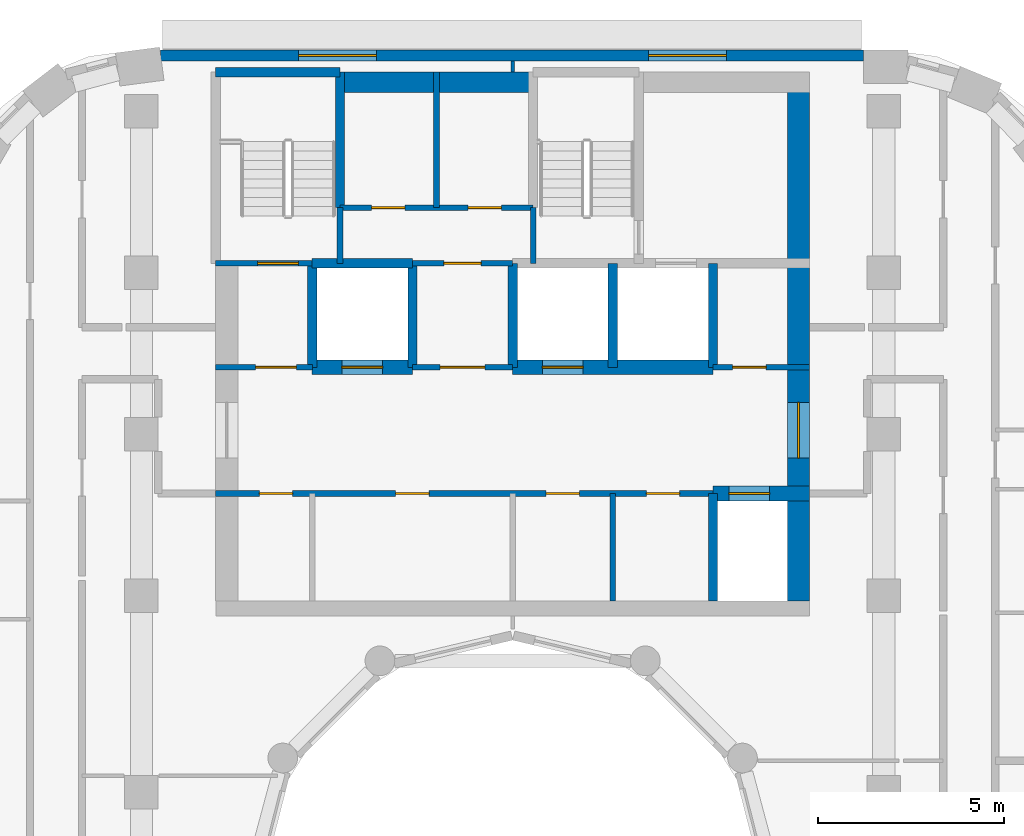
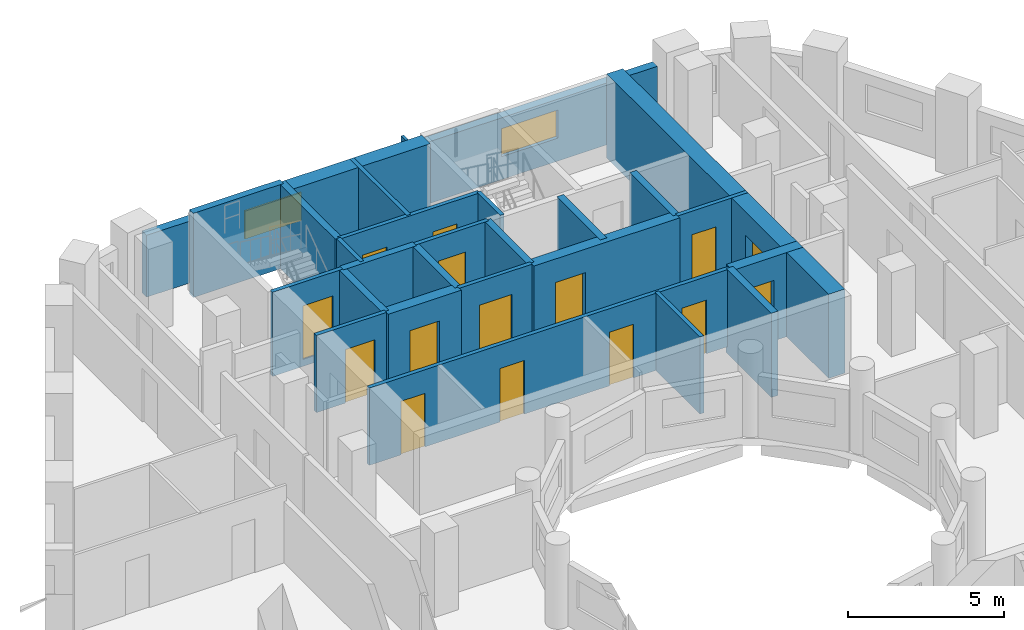
# One storey, part 8 of 16: 27 walls, 15 doors, 2 windows, 17 openings.
"""IFC4 building model written with IfcOpenShell, lengths in metres."""

from ifc_helpers import new_model, si_unit, direction, frame, frame_2d, origin, place, context, subcontext, project, spatial, rectangle, extrude, material, layer, layer_set, type_object, element, fill, save


model = new_model("IFC4")

# Units and contexts
model_context = context("Model", 3, precision=1e-05, world=origin(), true_north=direction((0.0, 1.0)))
body_context = subcontext(model_context, "Body", "Model", "MODEL_VIEW")
ifc_project = project(units=[si_unit("LENGTHUNIT", "METRE"), si_unit("AREAUNIT", "SQUARE_METRE"), si_unit("VOLUMEUNIT", "CUBIC_METRE"), si_unit("PLANEANGLEUNIT", "RADIAN"), si_unit("MASSUNIT", "GRAM", prefix="KILO")], contexts=[model_context])

# Site, building, storey
site_placement = place(None, origin())
site = spatial("IfcSite", under=ifc_project, at=site_placement, CompositionType="ELEMENT")
building_placement = place(site_placement, origin())
building = spatial("IfcBuilding", under=site, at=building_placement, Name="Nakaniwa Court", CompositionType="ELEMENT")
storey_placement = place(building_placement, frame((0.0, 0.0, 196.5)))
storey = spatial("IfcBuildingStorey", under=building, at=storey_placement, Name="L51", CompositionType="ELEMENT", Elevation=196.5)

# Wall, openings, windows
ifc_material_1 = material(Name="Charcoal ceramic cladding")
ifc_layer_1 = layer(ifc_material_1, 0.02, Name="Ceramic cladding")
ifc_material_2 = material(Name="Ventilated air cavity")
ifc_layer_2 = layer(ifc_material_2, 0.04, ventilated=True, Name="Ventilated cavity")
ifc_material_3 = material(Name="Mineral wool insulation")
ifc_layer_3 = layer(ifc_material_3, 0.1, Name="Insulation")
ifc_material_4 = material(Name="Cement bonded sheathing board")
ifc_layer_4 = layer(ifc_material_4, 0.012, Name="Sheathing")
ifc_material_5 = material(Name="Cold-formed galvanised stud frame with mineral wool infill")
ifc_layer_5 = layer(ifc_material_5, 0.1, Name="Stud frame")
ifc_material_6 = material(Name="Fire-rated gypsum plasterboard lining")
ifc_layer_6 = layer(ifc_material_6, 0.028, Name="Lining")
ifc_layer_set_1 = layer_set([ifc_layer_1, ifc_layer_2, ifc_layer_3, ifc_layer_4, ifc_layer_5, ifc_layer_6], Name="Charcoal ceramic faced external wall system")
wall_type_1 = type_object("IfcWallType", Name="Black ceramic faced external wall 300", PredefinedType="SOLIDWALL", material=ifc_layer_set_1)
wall_1_placement = place(storey_placement, frame((89.44921875, 102.5, 0.0), z_axis=(0.0, 0.0, 1.0), x_axis=(-1.0, 0.0, 0.0)))
wall_1 = element("IfcWall", 1, at=wall_1_placement, inside=storey, type_object=wall_type_1, Name="L51 external wall 08", PredefinedType="SOLIDWALL", context=body_context, shape_type="SweptSolid", body=[
    extrude(rectangle(XDim=18.932861328125, YDim=0.300048828125, at=frame_2d((9.46630859375, 0.0))), origin(), (0.0, 0.0, 1.0), 2.425048828125),
])
opening_1_placement = place(wall_1_placement, frame((3.6865234375, 0.0, 0.89990234375)))
opening_1 = element("IfcOpeningElement", 2, at=opening_1_placement, cuts=wall_1, Name="Opening W7.10", PredefinedType="OPENING", context=body_context, shape_type="SweptSolid", body=[
    extrude(rectangle(XDim=2.10009765625, YDim=1.10009765625, at=frame_2d((1.050048828125, 0.550048828125))), frame((0.0, 0.159912109375, 0.0), z_axis=(0.0, -1.0, 0.0), x_axis=(1.0, 0.0, 0.0)), (0.0, 0.0, 1.0), 0.320068359375),
])
opening_2_placement = place(wall_1_placement, frame((13.117919921875, 0.0, 0.89990234375)))
opening_2 = element("IfcOpeningElement", 3, at=opening_2_placement, cuts=wall_1, Name="Opening W7.11", PredefinedType="OPENING", context=body_context, shape_type="SweptSolid", body=[
    extrude(rectangle(XDim=2.10009765625, YDim=1.10009765625, at=frame_2d((1.050048828125, 0.550048828125))), frame((0.0, 0.159912109375, 0.0), z_axis=(0.0, -1.0, 0.0), x_axis=(1.0, 0.0, 0.0)), (0.0, 0.0, 1.0), 0.320068359375),
])
ifc_material_7 = material(Name="Black anodised aluminium frame with dark low-E laminated double glazing", Category="aluminium")
window_type = type_object("IfcWindowType", Name="Dark glass window 2100x1100 sill 900", PartitioningType="SINGLE_PANEL", PredefinedType="WINDOW", material=ifc_material_7)
window_1_placement = place(opening_1_placement, origin())
window_1 = element("IfcWindow", 4, at=window_1_placement, inside=storey, type_object=window_type, Name="L51 habitable room window 08-0", OverallHeight=1.10009765625, OverallWidth=2.10009765625, PartitioningType="SINGLE_PANEL", PredefinedType="WINDOW", context=body_context, shape_type="SweptSolid", body=[
    extrude(rectangle(XDim=2.10009765625, YDim=1.10009765625, at=frame_2d((1.050048828125, 0.550048828125))), frame((0.0, 0.030029296875, 0.0), z_axis=(0.0, -1.0, 0.0), x_axis=(1.0, 0.0, 0.0)), (0.0, 0.0, 1.0), 0.06005859375),
])
fill(opening_1, window_1)
window_2_placement = place(opening_2_placement, origin())
window_2 = element("IfcWindow", 5, at=window_2_placement, inside=storey, type_object=window_type, Name="L51 habitable room window 08-1", OverallHeight=1.10009765625, OverallWidth=2.10009765625, PartitioningType="SINGLE_PANEL", PredefinedType="WINDOW", context=body_context, shape_type="SweptSolid", body=[
    extrude(rectangle(XDim=2.10009765625, YDim=1.10009765625, at=frame_2d((1.050048828125, 0.550048828125))), frame((0.0, 0.030029296875, 0.0), z_axis=(0.0, -1.0, 0.0), x_axis=(1.0, 0.0, 0.0)), (0.0, 0.0, 1.0), 0.06005859375),
])
fill(opening_2, window_2)

# Wall, openings, doors
ifc_material_8 = material(Name="Blockwork partition", Category="masonry")
ifc_layer_7 = layer(ifc_material_8, 0.14990234375)
ifc_layer_set_2 = layer_set([ifc_layer_7], Name="Blockwork partition")
wall_type_2 = type_object("IfcWallType", Name="Blockwork partition 150", PredefinedType="PARTITIONING", material=ifc_layer_set_2)
wall_2_placement = place(storey_placement, frame((85.39990234375, 90.699951171875, 0.0), z_axis=(0.0, 0.0, 1.0), x_axis=(-1.0, 0.0, 0.0)))
wall_2 = element("IfcWall", 6, at=wall_2_placement, inside=storey, type_object=wall_type_2, Name="Partition PW-002", PredefinedType="PARTITIONING", context=body_context, shape_type="SweptSolid", body=[
    extrude(rectangle(XDim=13.39990234375, YDim=0.14990234375, at=frame_2d((6.699951171875, 0.0))), origin(), (0.0, 0.0, 1.0), 3.02490234375),
])
opening_3_placement = place(wall_2_placement, frame((11.324951171875, 0.0, 0.0)))
opening_3 = element("IfcOpeningElement", 7, at=opening_3_placement, cuts=wall_2, Name="Opening D-05-01", PredefinedType="OPENING", context=body_context, shape_type="SweptSolid", body=[
    extrude(rectangle(XDim=0.89990234375, YDim=2.10009765625, at=frame_2d((0.449951171875, 1.050048828125))), frame((0.0, 0.0849609375, 0.0), z_axis=(0.0, -1.0, 0.0), x_axis=(1.0, 0.0, 0.0)), (0.0, 0.0, 1.0), 0.169921875),
])
opening_4_placement = place(wall_2_placement, frame((7.64990234375, 0.0, 0.0)))
opening_4 = element("IfcOpeningElement", 8, at=opening_4_placement, cuts=wall_2, Name="Opening D-05-02", PredefinedType="OPENING", context=body_context, shape_type="SweptSolid", body=[
    extrude(rectangle(XDim=0.89990234375, YDim=2.10009765625, at=frame_2d((0.449951171875, 1.050048828125))), frame((0.0, 0.0849609375, 0.0), z_axis=(0.0, -1.0, 0.0), x_axis=(1.0, 0.0, 0.0)), (0.0, 0.0, 1.0), 0.169921875),
])
opening_5_placement = place(wall_2_placement, frame((3.60009765625, 0.0, 0.0)))
opening_5 = element("IfcOpeningElement", 9, at=opening_5_placement, cuts=wall_2, Name="Opening D-05-03", PredefinedType="OPENING", context=body_context, shape_type="SweptSolid", body=[
    extrude(rectangle(XDim=0.89990234375, YDim=2.10009765625, at=frame_2d((0.449951171875, 1.050048828125))), frame((0.0, 0.0849609375, 0.0), z_axis=(0.0, -1.0, 0.0), x_axis=(1.0, 0.0, 0.0)), (0.0, 0.0, 1.0), 0.169921875),
])
opening_6_placement = place(wall_2_placement, frame((0.89990234375, 0.0, 0.0)))
opening_6 = element("IfcOpeningElement", 10, at=opening_6_placement, cuts=wall_2, Name="Opening D-05-04", PredefinedType="OPENING", context=body_context, shape_type="SweptSolid", body=[
    extrude(rectangle(XDim=0.89990234375, YDim=2.10009765625, at=frame_2d((0.449951171875, 1.050048828125))), frame((0.0, 0.0849609375, 0.0), z_axis=(0.0, -1.0, 0.0), x_axis=(1.0, 0.0, 0.0)), (0.0, 0.0, 1.0), 0.169921875),
])
ifc_material_9 = material(Name="Fire rated steel door set", Category="steel")
door_type_1 = type_object("IfcDoorType", Name="Service room door 900", OperationType="NOTDEFINED", PredefinedType="DOOR", material=ifc_material_9)
door_1_placement = place(opening_3_placement, origin())
door_1 = element("IfcDoor", 11, at=door_1_placement, inside=storey, type_object=door_type_1, Name="Door D-05-01 L51-001", OperationType="SINGLE_SWING_RIGHT", OverallHeight=2.10009765625, OverallWidth=0.89990234375, PredefinedType="DOOR", context=body_context, shape_type="SweptSolid", body=[
    extrude(rectangle(XDim=0.89990234375, YDim=2.10009765625, at=frame_2d((0.449951171875, 1.050048828125))), frame((0.0, 0.02490234375, 0.0), z_axis=(0.0, -1.0, 0.0), x_axis=(1.0, 0.0, 0.0)), (0.0, 0.0, 1.0), 0.050048828125),
])
fill(opening_3, door_1)
door_2_placement = place(opening_4_placement, origin())
door_2 = element("IfcDoor", 12, at=door_2_placement, inside=storey, type_object=door_type_1, Name="Door D-05-02 L51-002", OperationType="SINGLE_SWING_LEFT", OverallHeight=2.10009765625, OverallWidth=0.89990234375, PredefinedType="DOOR", context=body_context, shape_type="SweptSolid", body=[
    extrude(rectangle(XDim=0.89990234375, YDim=2.10009765625, at=frame_2d((0.449951171875, 1.050048828125))), frame((0.0, 0.02490234375, 0.0), z_axis=(0.0, -1.0, 0.0), x_axis=(1.0, 0.0, 0.0)), (0.0, 0.0, 1.0), 0.050048828125),
])
fill(opening_4, door_2)
door_3_placement = place(opening_5_placement, origin())
door_3 = element("IfcDoor", 13, at=door_3_placement, inside=storey, type_object=door_type_1, Name="Door D-05-03 L51-003", OperationType="SINGLE_SWING_RIGHT", OverallHeight=2.10009765625, OverallWidth=0.89990234375, PredefinedType="DOOR", context=body_context, shape_type="SweptSolid", body=[
    extrude(rectangle(XDim=0.89990234375, YDim=2.10009765625, at=frame_2d((0.449951171875, 1.050048828125))), frame((0.0, 0.02490234375, 0.0), z_axis=(0.0, -1.0, 0.0), x_axis=(1.0, 0.0, 0.0)), (0.0, 0.0, 1.0), 0.050048828125),
])
fill(opening_5, door_3)
door_4_placement = place(opening_6_placement, origin())
door_4 = element("IfcDoor", 14, at=door_4_placement, inside=storey, type_object=door_type_1, Name="Door D-05-04 L51-004", OperationType="SINGLE_SWING_LEFT", OverallHeight=2.10009765625, OverallWidth=0.89990234375, PredefinedType="DOOR", context=body_context, shape_type="SweptSolid", body=[
    extrude(rectangle(XDim=0.89990234375, YDim=2.10009765625, at=frame_2d((0.449951171875, 1.050048828125))), frame((0.0, 0.02490234375, 0.0), z_axis=(0.0, -1.0, 0.0), x_axis=(1.0, 0.0, 0.0)), (0.0, 0.0, 1.0), 0.050048828125),
])
fill(opening_6, door_4)

# Wall
wall_3_placement = place(storey_placement, frame((82.699951171875, 87.800048828125, 0.0), z_axis=(0.0, 0.0, 1.0), x_axis=(0.0, 1.0, 0.0)))
element("IfcWall", 15, at=wall_3_placement, inside=storey, type_object=wall_type_2, Name="Partition PW-009", PredefinedType="PARTITIONING", context=body_context, shape_type="SweptSolid", body=[
    extrude(rectangle(XDim=2.89990234375, YDim=0.14990234375, at=frame_2d((1.449951171875, 0.0))), origin(), (0.0, 0.0, 1.0), 3.02490234375),
])

# Wall, opening, door
wall_4_placement = place(storey_placement, frame((72.0, 94.10009765625, 0.0), z_axis=(0.0, 0.0, 1.0), x_axis=(1.0, 0.0, 0.0)))
wall_4 = element("IfcWall", 16, at=wall_4_placement, inside=storey, type_object=wall_type_2, Name="Partition PW-010", PredefinedType="PARTITIONING", context=body_context, shape_type="SweptSolid", body=[
    extrude(rectangle(XDim=2.60302734375, YDim=0.14990234375, at=frame_2d((1.301513671875, 0.0))), origin(), (0.0, 0.0, 1.0), 3.02490234375),
])
opening_7_placement = place(wall_4_placement, frame((1.074951171875, 0.0, 0.0)))
opening_7 = element("IfcOpeningElement", 17, at=opening_7_placement, cuts=wall_4, Name="Opening D-08-01", PredefinedType="OPENING", context=body_context, shape_type="SweptSolid", body=[
    extrude(rectangle(XDim=1.10009765625, YDim=2.10009765625, at=frame_2d((0.550048828125, 1.050048828125))), frame((0.0, 0.0849609375, 0.0), z_axis=(0.0, -1.0, 0.0), x_axis=(1.0, 0.0, 0.0)), (0.0, 0.0, 1.0), 0.169921875),
])
door_type_2 = type_object("IfcDoorType", Name="Stair lobby door 1100", OperationType="NOTDEFINED", PredefinedType="DOOR", material=ifc_material_9)
door_5_placement = place(opening_7_placement, origin())
door_5 = element("IfcDoor", 18, at=door_5_placement, inside=storey, type_object=door_type_2, Name="Door D-08-01 L51-005", OperationType="SINGLE_SWING_RIGHT", OverallHeight=2.10009765625, OverallWidth=1.10009765625, PredefinedType="DOOR", context=body_context, shape_type="SweptSolid", body=[
    extrude(rectangle(XDim=1.10009765625, YDim=2.10009765625, at=frame_2d((0.550048828125, 1.050048828125))), frame((0.0, 0.02490234375, 0.0), z_axis=(0.0, -1.0, 0.0), x_axis=(1.0, 0.0, 0.0)), (0.0, 0.0, 1.0), 0.050048828125),
])
fill(opening_7, door_5)

wall_5_placement = place(storey_placement, frame((77.297119140625, 94.10009765625, 0.0), z_axis=(0.0, 0.0, 1.0), x_axis=(1.0, 0.0, 0.0)))
wall_5 = element("IfcWall", 19, at=wall_5_placement, inside=storey, type_object=wall_type_2, Name="Partition PW-011", PredefinedType="PARTITIONING", context=body_context, shape_type="SweptSolid", body=[
    extrude(rectangle(XDim=2.705810546875, YDim=0.14990234375, at=frame_2d((1.35302734375, 0.0))), origin(), (0.0, 0.0, 1.0), 3.02490234375),
])
opening_8_placement = place(wall_5_placement, frame((0.7529296875, 0.0, 0.0)))
opening_8 = element("IfcOpeningElement", 20, at=opening_8_placement, cuts=wall_5, Name="Opening D-06-01", PredefinedType="OPENING", context=body_context, shape_type="SweptSolid", body=[
    extrude(rectangle(XDim=1.199951171875, YDim=2.10009765625, at=frame_2d((0.60009765625, 1.050048828125))), frame((0.0, 0.0849609375, 0.0), z_axis=(0.0, -1.0, 0.0), x_axis=(1.0, 0.0, 0.0)), (0.0, 0.0, 1.0), 0.169921875),
])
ifc_material_10 = material(Name="Fire rated steel double door set", Category="steel")
door_type_3 = type_object("IfcDoorType", Name="Service passage double door 1200", OperationType="NOTDEFINED", PredefinedType="DOOR", material=ifc_material_10)
door_6_placement = place(opening_8_placement, origin())
door_6 = element("IfcDoor", 21, at=door_6_placement, inside=storey, type_object=door_type_3, Name="Door D-06-01 L51-006", OperationType="DOUBLE_DOOR_SINGLE_SWING", OverallHeight=2.10009765625, OverallWidth=1.199951171875, PredefinedType="DOOR", context=body_context, shape_type="SweptSolid", body=[
    extrude(rectangle(XDim=1.199951171875, YDim=2.10009765625, at=frame_2d((0.60009765625, 1.050048828125))), frame((0.0, 0.02490234375, 0.0), z_axis=(0.0, -1.0, 0.0), x_axis=(1.0, 0.0, 0.0)), (0.0, 0.0, 1.0), 0.050048828125),
])
fill(opening_8, door_6)

wall_6_placement = place(storey_placement, frame((85.39697265625, 94.10009765625, 0.0), z_axis=(0.0, 0.0, 1.0), x_axis=(1.0, 0.0, 0.0)))
wall_6 = element("IfcWall", 22, at=wall_6_placement, inside=storey, type_object=wall_type_2, Name="Partition PW-012", PredefinedType="PARTITIONING", context=body_context, shape_type="SweptSolid", body=[
    extrude(rectangle(XDim=2.60302734375, YDim=0.14990234375, at=frame_2d((1.301513671875, 0.0))), origin(), (0.0, 0.0, 1.0), 3.02490234375),
])
opening_9_placement = place(wall_6_placement, frame((0.528076171875, 0.0, 0.0)))
opening_9 = element("IfcOpeningElement", 23, at=opening_9_placement, cuts=wall_6, Name="Opening D-05-05", PredefinedType="OPENING", context=body_context, shape_type="SweptSolid", body=[
    extrude(rectangle(XDim=0.89990234375, YDim=2.10009765625, at=frame_2d((0.449951171875, 1.050048828125))), frame((0.0, 0.0849609375, 0.0), z_axis=(0.0, -1.0, 0.0), x_axis=(1.0, 0.0, 0.0)), (0.0, 0.0, 1.0), 0.169921875),
])
door_7_placement = place(opening_9_placement, origin())
door_7 = element("IfcDoor", 24, at=door_7_placement, inside=storey, type_object=door_type_1, Name="Door D-05-05 L51-007", OperationType="SINGLE_SWING_RIGHT", OverallHeight=2.10009765625, OverallWidth=0.89990234375, PredefinedType="DOOR", context=body_context, shape_type="SweptSolid", body=[
    extrude(rectangle(XDim=0.89990234375, YDim=2.10009765625, at=frame_2d((0.449951171875, 1.050048828125))), frame((0.0, 0.02490234375, 0.0), z_axis=(0.0, -1.0, 0.0), x_axis=(1.0, 0.0, 0.0)), (0.0, 0.0, 1.0), 0.050048828125),
])
fill(opening_9, door_7)

wall_7_placement = place(storey_placement, frame((77.300048828125, 96.89990234375, 0.0), z_axis=(0.0, 0.0, 1.0), x_axis=(1.0, 0.0, 0.0)))
wall_7 = element("IfcWall", 25, at=wall_7_placement, inside=storey, type_object=wall_type_2, Name="Partition PW-021", PredefinedType="PARTITIONING", context=body_context, shape_type="SweptSolid", body=[
    extrude(rectangle(XDim=2.699951171875, YDim=0.14990234375, at=frame_2d((1.35009765625, 0.0))), origin(), (0.0, 0.0, 1.0), 3.02490234375),
])
opening_10_placement = place(wall_7_placement, frame((0.85009765625, 0.0, 0.0)))
opening_10 = element("IfcOpeningElement", 26, at=opening_10_placement, cuts=wall_7, Name="Opening D-23-01", PredefinedType="OPENING", context=body_context, shape_type="SweptSolid", body=[
    extrude(rectangle(XDim=1.0, YDim=2.10009765625, at=frame_2d((0.5, 1.050048828125))), frame((0.0, 0.0849609375, 0.0), z_axis=(0.0, -1.0, 0.0), x_axis=(1.0, 0.0, 0.0)), (0.0, 0.0, 1.0), 0.169921875),
])
door_type_4 = type_object("IfcDoorType", Name="Service room door 1000", OperationType="NOTDEFINED", PredefinedType="DOOR", material=ifc_material_9)
door_8_placement = place(opening_10_placement, origin())
door_8 = element("IfcDoor", 27, at=door_8_placement, inside=storey, type_object=door_type_4, Name="Door D-23-01 L51-008", OperationType="SINGLE_SWING_LEFT", OverallHeight=2.10009765625, OverallWidth=1.0, PredefinedType="DOOR", context=body_context, shape_type="SweptSolid", body=[
    extrude(rectangle(XDim=1.0, YDim=2.10009765625, at=frame_2d((0.5, 1.050048828125))), frame((0.0, 0.02490234375, 0.0), z_axis=(0.0, -1.0, 0.0), x_axis=(1.0, 0.0, 0.0)), (0.0, 0.0, 1.0), 0.050048828125),
])
fill(opening_10, door_8)

# Wall, openings, doors
wall_8_placement = place(storey_placement, frame((75.35009765625, 98.39990234375, 0.0), z_axis=(0.0, 0.0, 1.0), x_axis=(1.0, 0.0, 0.0)))
wall_8 = element("IfcWall", 28, at=wall_8_placement, inside=storey, type_object=wall_type_2, Name="Partition PW-033", PredefinedType="PARTITIONING", context=body_context, shape_type="SweptSolid", body=[
    extrude(rectangle(XDim=5.199951171875, YDim=0.14990234375, at=frame_2d((2.60009765625, 0.0))), origin(), (0.0, 0.0, 1.0), 3.02490234375),
])
opening_11_placement = place(wall_8_placement, frame((0.85009765625, 0.0, 0.0)))
opening_11 = element("IfcOpeningElement", 29, at=opening_11_placement, cuts=wall_8, Name="Opening D-05-06", PredefinedType="OPENING", context=body_context, shape_type="SweptSolid", body=[
    extrude(rectangle(XDim=0.89990234375, YDim=2.10009765625, at=frame_2d((0.449951171875, 1.050048828125))), frame((0.0, 0.0849609375, 0.0), z_axis=(0.0, -1.0, 0.0), x_axis=(1.0, 0.0, 0.0)), (0.0, 0.0, 1.0), 0.169921875),
])
opening_12_placement = place(wall_8_placement, frame((3.449951171875, 0.0, 0.0)))
opening_12 = element("IfcOpeningElement", 30, at=opening_12_placement, cuts=wall_8, Name="Opening D-05-07", PredefinedType="OPENING", context=body_context, shape_type="SweptSolid", body=[
    extrude(rectangle(XDim=0.89990234375, YDim=2.10009765625, at=frame_2d((0.449951171875, 1.050048828125))), frame((0.0, 0.0849609375, 0.0), z_axis=(0.0, -1.0, 0.0), x_axis=(1.0, 0.0, 0.0)), (0.0, 0.0, 1.0), 0.169921875),
])
door_9_placement = place(opening_11_placement, origin())
door_9 = element("IfcDoor", 31, at=door_9_placement, inside=storey, type_object=door_type_1, Name="Door D-05-06 L51-009", OperationType="SINGLE_SWING_RIGHT", OverallHeight=2.10009765625, OverallWidth=0.89990234375, PredefinedType="DOOR", context=body_context, shape_type="SweptSolid", body=[
    extrude(rectangle(XDim=0.89990234375, YDim=2.10009765625, at=frame_2d((0.449951171875, 1.050048828125))), frame((0.0, 0.02490234375, 0.0), z_axis=(0.0, -1.0, 0.0), x_axis=(1.0, 0.0, 0.0)), (0.0, 0.0, 1.0), 0.050048828125),
])
fill(opening_11, door_9)
door_10_placement = place(opening_12_placement, origin())
door_10 = element("IfcDoor", 32, at=door_10_placement, inside=storey, type_object=door_type_1, Name="Door D-05-07 L51-010", OperationType="SINGLE_SWING_LEFT", OverallHeight=2.10009765625, OverallWidth=0.89990234375, PredefinedType="DOOR", context=body_context, shape_type="SweptSolid", body=[
    extrude(rectangle(XDim=0.89990234375, YDim=2.10009765625, at=frame_2d((0.449951171875, 1.050048828125))), frame((0.0, 0.02490234375, 0.0), z_axis=(0.0, -1.0, 0.0), x_axis=(1.0, 0.0, 0.0)), (0.0, 0.0, 1.0), 0.050048828125),
])
fill(opening_12, door_10)

# Wall
wall_9_placement = place(storey_placement, frame((77.949951171875, 98.39990234375, 0.0), z_axis=(0.0, 0.0, 1.0), x_axis=(0.0, 1.0, 0.0)))
element("IfcWall", 33, at=wall_9_placement, inside=storey, type_object=wall_type_2, Name="Partition PW-034", PredefinedType="PARTITIONING", context=body_context, shape_type="SweptSolid", body=[
    extrude(rectangle(XDim=3.650146484375, YDim=0.14990234375, at=frame_2d((1.8251953125, 0.0))), origin(), (0.0, 0.0, 1.0), 3.02490234375),
])

# Wall, opening, door
ifc_material_11 = material(Name="Concrete C80/100", Category="concrete")
ifc_layer_8 = layer(ifc_material_11, 0.60009765625)
ifc_layer_set_3 = layer_set([ifc_layer_8], Name="Concrete C80/100")
wall_type_3 = type_object("IfcWallType", Name="Concrete core side wall 600 C80", PredefinedType="SHEAR", material=ifc_layer_set_3)
wall_10_placement = place(storey_placement, frame((87.699951171875, 102.050048828125, -0.27490234375), z_axis=(0.0, 0.0, 1.0), x_axis=(0.0, -1.0, 0.0)))
wall_10 = element("IfcWall", 34, at=wall_10_placement, inside=storey, type_object=wall_type_3, Name="Core wall SW-07", PredefinedType="SHEAR", context=body_context, shape_type="SweptSolid", body=[
    extrude(rectangle(XDim=14.25, YDim=0.60009765625, at=frame_2d((7.125, 0.0))), origin(), (0.0, 0.0, 1.0), 3.2998046875),
])
opening_13_placement = place(wall_10_placement, frame((8.89794921875, 0.0, 0.27490234375)))
opening_13 = element("IfcOpeningElement", 35, at=opening_13_placement, cuts=wall_10, Name="Opening D-07-01", PredefinedType="OPENING", context=body_context, shape_type="SweptSolid", body=[
    extrude(rectangle(XDim=1.5, YDim=2.10009765625, at=frame_2d((0.75, 1.050048828125))), frame((0.0, 0.31005859375, 0.0), z_axis=(0.0, -1.0, 0.0), x_axis=(1.0, 0.0, 0.0)), (0.0, 0.0, 1.0), 0.6201171875),
])
ifc_material_12 = material(Name="Glazed fire rated steel double door set", Category="steel")
door_type_5 = type_object("IfcDoorType", Name="Lobby double door 1500", OperationType="NOTDEFINED", PredefinedType="DOOR", material=ifc_material_12)
door_11_placement = place(opening_13_placement, origin())
door_11 = element("IfcDoor", 36, at=door_11_placement, inside=storey, type_object=door_type_5, Name="Door D-07-01 L51-059", OperationType="DOUBLE_DOOR_SINGLE_SWING", OverallHeight=2.10009765625, OverallWidth=1.5, PredefinedType="DOOR", context=body_context, shape_type="SweptSolid", body=[
    extrude(rectangle(XDim=1.5, YDim=2.10009765625, at=frame_2d((0.75, 1.050048828125))), frame((0.0, 0.02490234375, 0.0), z_axis=(0.0, -1.0, 0.0), x_axis=(1.0, 0.0, 0.0)), (0.0, 0.0, 1.0), 0.050048828125),
])
fill(opening_13, door_11)

ifc_layer_9 = layer(ifc_material_11, 0.39990234375)
ifc_layer_set_4 = layer_set([ifc_layer_9], Name="Concrete C80/100")
wall_type_4 = type_object("IfcWallType", Name="Concrete core spine wall 400 C80", PredefinedType="SHEAR", material=ifc_layer_set_4)
wall_11_placement = place(storey_placement, frame((85.39990234375, 90.699951171875, -0.27490234375), z_axis=(0.0, 0.0, 1.0), x_axis=(1.0, 0.0, 0.0)))
wall_11 = element("IfcWall", 37, at=wall_11_placement, inside=storey, type_object=wall_type_4, Name="Core wall SW-06", PredefinedType="SHEAR", context=body_context, shape_type="SweptSolid", body=[
    extrude(rectangle(XDim=2.60009765625, YDim=0.39990234375, at=frame_2d((1.300048828125, 0.0))), origin(), (0.0, 0.0, 1.0), 3.2998046875),
])
opening_14_placement = place(wall_11_placement, frame((0.425048828125, 0.0, 0.27490234375)))
opening_14 = element("IfcOpeningElement", 38, at=opening_14_placement, cuts=wall_11, Name="Opening LD01", PredefinedType="OPENING", context=body_context, shape_type="SweptSolid", body=[
    extrude(rectangle(XDim=1.10009765625, YDim=2.10009765625, at=frame_2d((0.550048828125, 1.050048828125))), frame((0.0, 0.2099609375, 0.0), z_axis=(0.0, -1.0, 0.0), x_axis=(1.0, 0.0, 0.0)), (0.0, 0.0, 1.0), 0.419921875),
])
ifc_material_13 = material(Name="Stainless steel sliding lift landing door", Category="steel")
door_type_6 = type_object("IfcDoorType", Name="Lift landing door 1100", OperationType="NOTDEFINED", PredefinedType="DOOR", material=ifc_material_13)
door_12_placement = place(opening_14_placement, origin())
door_12 = element("IfcDoor", 39, at=door_12_placement, inside=storey, type_object=door_type_6, Name="Lift landing door LD01 L51-001", OperationType="SLIDING_TO_LEFT", OverallHeight=2.10009765625, OverallWidth=1.10009765625, PredefinedType="DOOR", context=body_context, shape_type="SweptSolid", body=[
    extrude(rectangle(XDim=1.10009765625, YDim=2.10009765625, at=frame_2d((0.550048828125, 1.050048828125))), frame((0.0, 0.02490234375, 0.0), z_axis=(0.0, -1.0, 0.0), x_axis=(1.0, 0.0, 0.0)), (0.0, 0.0, 1.0), 0.050048828125),
])
fill(opening_14, door_12)

wall_12_placement = place(storey_placement, frame((74.596923828125, 94.10009765625, -0.27490234375), z_axis=(0.0, 0.0, 1.0), x_axis=(1.0, 0.0, 0.0)))
wall_12 = element("IfcWall", 40, at=wall_12_placement, inside=storey, type_object=wall_type_4, Name="Core wall SW-13", PredefinedType="SHEAR", context=body_context, shape_type="SweptSolid", body=[
    extrude(rectangle(XDim=2.7060546875, YDim=0.39990234375, at=frame_2d((1.35302734375, 0.0))), origin(), (0.0, 0.0, 1.0), 3.2998046875),
])
opening_15_placement = place(wall_12_placement, frame((0.802978515625, 0.0, 0.27490234375)))
opening_15 = element("IfcOpeningElement", 41, at=opening_15_placement, cuts=wall_12, Name="Opening LD02", PredefinedType="OPENING", context=body_context, shape_type="SweptSolid", body=[
    extrude(rectangle(XDim=1.10009765625, YDim=2.10009765625, at=frame_2d((0.550048828125, 1.050048828125))), frame((0.0, 0.2099609375, 0.0), z_axis=(0.0, -1.0, 0.0), x_axis=(1.0, 0.0, 0.0)), (0.0, 0.0, 1.0), 0.419921875),
])
door_13_placement = place(opening_15_placement, origin())
door_13 = element("IfcDoor", 42, at=door_13_placement, inside=storey, type_object=door_type_6, Name="Lift landing door LD02 L51-002", OperationType="SLIDING_TO_LEFT", OverallHeight=2.10009765625, OverallWidth=1.10009765625, PredefinedType="DOOR", context=body_context, shape_type="SweptSolid", body=[
    extrude(rectangle(XDim=1.10009765625, YDim=2.10009765625, at=frame_2d((0.550048828125, 1.050048828125))), frame((0.0, 0.02490234375, 0.0), z_axis=(0.0, -1.0, 0.0), x_axis=(1.0, 0.0, 0.0)), (0.0, 0.0, 1.0), 0.050048828125),
])
fill(opening_15, door_13)

wall_13_placement = place(storey_placement, frame((79.9970703125, 94.10009765625, -0.27490234375), z_axis=(0.0, 0.0, 1.0), x_axis=(1.0, 0.0, 0.0)))
wall_13 = element("IfcWall", 43, at=wall_13_placement, inside=storey, type_object=wall_type_4, Name="Core wall SW-14", PredefinedType="SHEAR", context=body_context, shape_type="SweptSolid", body=[
    extrude(rectangle(XDim=5.406005859375, YDim=0.39990234375, at=frame_2d((2.703125, 0.0))), origin(), (0.0, 0.0, 1.0), 3.2998046875),
])
opening_16_placement = place(wall_13_placement, frame((0.802978515625, 0.0, 0.27490234375)))
opening_16 = element("IfcOpeningElement", 44, at=opening_16_placement, cuts=wall_13, Name="Opening LD03", PredefinedType="OPENING", context=body_context, shape_type="SweptSolid", body=[
    extrude(rectangle(XDim=1.10009765625, YDim=2.10009765625, at=frame_2d((0.550048828125, 1.050048828125))), frame((0.0, 0.2099609375, 0.0), z_axis=(0.0, -1.0, 0.0), x_axis=(1.0, 0.0, 0.0)), (0.0, 0.0, 1.0), 0.419921875),
])
door_14_placement = place(opening_16_placement, origin())
door_14 = element("IfcDoor", 45, at=door_14_placement, inside=storey, type_object=door_type_6, Name="Lift landing door LD03 L51-003", OperationType="SLIDING_TO_LEFT", OverallHeight=2.10009765625, OverallWidth=1.10009765625, PredefinedType="DOOR", context=body_context, shape_type="SweptSolid", body=[
    extrude(rectangle(XDim=1.10009765625, YDim=2.10009765625, at=frame_2d((0.550048828125, 1.050048828125))), frame((0.0, 0.02490234375, 0.0), z_axis=(0.0, -1.0, 0.0), x_axis=(1.0, 0.0, 0.0)), (0.0, 0.0, 1.0), 0.050048828125),
])
fill(opening_16, door_14)

ifc_layer_10 = layer(ifc_material_11, 0.14990234375)
ifc_layer_set_5 = layer_set([ifc_layer_10], Name="Concrete C80/100")
wall_type_5 = type_object("IfcWallType", Name="Concrete core wall 150 C80", PredefinedType="SHEAR", material=ifc_layer_set_5)
wall_14_placement = place(storey_placement, frame((74.60009765625, 96.89990234375, -0.27490234375), z_axis=(0.0, 0.0, 1.0), x_axis=(-1.0, 0.0, 0.0)))
wall_14 = element("IfcWall", 46, at=wall_14_placement, inside=storey, type_object=wall_type_5, Name="Core wall SW-16", PredefinedType="SHEAR", context=body_context, shape_type="SweptSolid", body=[
    extrude(rectangle(XDim=2.60009765625, YDim=0.14990234375, at=frame_2d((1.300048828125, 0.0))), origin(), (0.0, 0.0, 1.0), 3.2998046875),
])
opening_17_placement = place(wall_14_placement, frame((0.3701171875, 0.0, 0.27490234375)))
opening_17 = element("IfcOpeningElement", 47, at=opening_17_placement, cuts=wall_14, Name="Opening D-09-01", PredefinedType="OPENING", context=body_context, shape_type="SweptSolid", body=[
    extrude(rectangle(XDim=1.10009765625, YDim=2.10009765625, at=frame_2d((0.550048828125, 1.050048828125))), frame((0.0, 0.0849609375, 0.0), z_axis=(0.0, -1.0, 0.0), x_axis=(1.0, 0.0, 0.0)), (0.0, 0.0, 1.0), 0.169921875),
])
door_type_7 = type_object("IfcDoorType", Name="Stair door 1100", OperationType="NOTDEFINED", PredefinedType="DOOR", material=ifc_material_9)
door_15_placement = place(opening_17_placement, origin())
door_15 = element("IfcDoor", 48, at=door_15_placement, inside=storey, type_object=door_type_7, Name="Door D-09-01 L51-011", OperationType="SINGLE_SWING_LEFT", OverallHeight=2.10009765625, OverallWidth=1.10009765625, PredefinedType="DOOR", context=body_context, shape_type="SweptSolid", body=[
    extrude(rectangle(XDim=1.10009765625, YDim=2.10009765625, at=frame_2d((0.550048828125, 1.050048828125))), frame((0.0, 0.02490234375, 0.0), z_axis=(0.0, -1.0, 0.0), x_axis=(1.0, 0.0, 0.0)), (0.0, 0.0, 1.0), 0.050048828125),
])
fill(opening_17, door_15)

# Walls
for number, where, z_axis, x_axis, name in (
    (49, (75.35009765625, 96.89990234375, -0.27490234375), (0.0, 0.0, 1.0), (0.0, 1.0, 0.0), "Core wall SW-23"),
    (50, (80.550048828125, 96.89990234375, -0.27490234375), (0.0, 0.0, 1.0), (0.0, 1.0, 0.0), "Core wall SW-29"),
):
    element("IfcWall", number, at=place(storey_placement, frame(where, z_axis=z_axis, x_axis=x_axis)), inside=storey, type_object=wall_type_5, Name=name, PredefinedType="SHEAR", context=body_context, shape_type="SweptSolid", body=[
        extrude(rectangle(XDim=1.503173828125, YDim=0.14990234375, at=frame_2d((0.75146484375, 0.0))), origin(), (0.0, 0.0, 1.0), 3.2998046875),
    ])
ifc_layer_11 = layer(ifc_material_11, 0.25)
ifc_layer_set_6 = layer_set([ifc_layer_11], Name="Concrete C80/100")
wall_type_6 = type_object("IfcWallType", Name="Concrete core wall 250 C80", PredefinedType="SHEAR", material=ifc_layer_set_6)
wall_15_placement = place(storey_placement, frame((72.0, 102.050048828125, -0.27490234375), z_axis=(0.0, 0.0, 1.0), x_axis=(1.0, 0.0, 0.0)))
element("IfcWall", 51, at=wall_15_placement, inside=storey, type_object=wall_type_6, Name="Core wall SW-25", PredefinedType="SHEAR", context=body_context, shape_type="SweptSolid", body=[
    extrude(rectangle(XDim=3.35009765625, YDim=0.25, at=frame_2d((1.675048828125, 0.0))), origin(), (0.0, 0.0, 1.0), 3.2998046875),
])
ifc_layer_12 = layer(ifc_material_11, 0.550048828125)
ifc_layer_set_7 = layer_set([ifc_layer_12], Name="Concrete C80/100")
wall_type_7 = type_object("IfcWallType", Name="Concrete core wall 550 C80", PredefinedType="SHEAR", material=ifc_layer_set_7)
wall_16_placement = place(storey_placement, frame((75.35009765625, 101.77490234375, -0.27490234375), z_axis=(0.0, 0.0, 1.0), x_axis=(1.0, 0.0, 0.0)))
element("IfcWall", 52, at=wall_16_placement, inside=storey, type_object=wall_type_7, Name="Core wall SW-31", PredefinedType="SHEAR", context=body_context, shape_type="SweptSolid", body=[
    extrude(rectangle(XDim=5.199951171875, YDim=0.550048828125, at=frame_2d((2.60009765625, 0.0))), origin(), (0.0, 0.0, 1.0), 3.2998046875),
])
ifc_layer_13 = layer(ifc_material_11, 0.25)
ifc_layer_set_8 = layer_set([ifc_layer_13], Name="Concrete C80/100")
wall_type_8 = type_object("IfcWallType", Name="Concrete shaft wall 250 C80", PredefinedType="SHEAR", material=ifc_layer_set_8)
wall_17_placement = place(storey_placement, frame((85.39990234375, 87.800048828125, -0.27490234375), z_axis=(0.0, 0.0, 1.0), x_axis=(0.0, 1.0, 0.0)))
element("IfcWall", 53, at=wall_17_placement, inside=storey, type_object=wall_type_8, Name="Core wall SW-04", PredefinedType="SHEAR", context=body_context, shape_type="SweptSolid", body=[
    extrude(rectangle(XDim=2.89990234375, YDim=0.25, at=frame_2d((1.449951171875, 0.0))), origin(), (0.0, 0.0, 1.0), 3.2998046875),
])
for number, where, z_axis, x_axis, name in (
    (54, (85.39990234375, 94.10009765625, -0.27490234375), (0.0, 0.0, 1.0), (0.0, 1.0, 0.0), "Core wall SW-05"),
    (55, (74.60009765625, 94.10009765625, -0.27490234375), (0.0, 0.0, 1.0), (0.0, 1.0, 0.0), "Core wall SW-15"),
    (56, (77.300048828125, 94.10009765625, -0.27490234375), (0.0, 0.0, 1.0), (0.0, 1.0, 0.0), "Core wall SW-17"),
):
    element("IfcWall", number, at=place(storey_placement, frame(where, z_axis=z_axis, x_axis=x_axis)), inside=storey, type_object=wall_type_8, Name=name, PredefinedType="SHEAR", context=body_context, shape_type="SweptSolid", body=[
        extrude(rectangle(XDim=2.7998046875, YDim=0.25, at=frame_2d((1.39990234375, 0.0))), origin(), (0.0, 0.0, 1.0), 3.2998046875),
    ])
wall_18_placement = place(storey_placement, frame((74.60009765625, 96.89990234375, -0.27490234375), z_axis=(0.0, 0.0, 1.0), x_axis=(1.0, 0.0, 0.0)))
element("IfcWall", 57, at=wall_18_placement, inside=storey, type_object=wall_type_8, Name="Core wall SW-18", PredefinedType="SHEAR", context=body_context, shape_type="SweptSolid", body=[
    extrude(rectangle(XDim=2.699951171875, YDim=0.25, at=frame_2d((1.35009765625, 0.0))), origin(), (0.0, 0.0, 1.0), 3.2998046875),
])
for number, where, z_axis, x_axis, name in (
    (58, (80.0, 94.10009765625, -0.27490234375), (0.0, 0.0, 1.0), (0.0, 1.0, 0.0), "Core wall SW-20"),
    (59, (82.699951171875, 94.10009765625, -0.27490234375), (0.0, 0.0, 1.0), (0.0, 1.0, 0.0), "Core wall SW-22"),
):
    element("IfcWall", number, at=place(storey_placement, frame(where, z_axis=z_axis, x_axis=x_axis)), inside=storey, type_object=wall_type_8, Name=name, PredefinedType="SHEAR", context=body_context, shape_type="SweptSolid", body=[
        extrude(rectangle(XDim=2.7998046875, YDim=0.25, at=frame_2d((1.39990234375, 0.0))), origin(), (0.0, 0.0, 1.0), 3.2998046875),
    ])
wall_19_placement = place(storey_placement, frame((75.35009765625, 98.39697265625, -0.27490234375), z_axis=(0.0, 0.0, 1.0), x_axis=(0.0, 1.0, 0.0)))
element("IfcWall", 60, at=wall_19_placement, inside=storey, type_object=wall_type_8, Name="Core wall SW-24", PredefinedType="SHEAR", context=body_context, shape_type="SweptSolid", body=[
    extrude(rectangle(XDim=3.653076171875, YDim=0.25, at=frame_2d((1.82666015625, 0.0))), origin(), (0.0, 0.0, 1.0), 3.2998046875),
])
ifc_material_14 = material(Name="Single stud plasterboard partition")
ifc_layer_14 = layer(ifc_material_14, 0.10009765625)
ifc_layer_set_9 = layer_set([ifc_layer_14], Name="Single stud plasterboard partition")
wall_type_9 = type_object("IfcWallType", Name="Single stud plasterboard partition 100", PredefinedType="PARTITIONING", material=ifc_layer_set_9)
wall_20_placement = place(storey_placement, frame((80.0, 102.050048828125, 0.0), z_axis=(0.0, 0.0, 1.0), x_axis=(0.0, 1.0, 0.0)))
element("IfcWall", 61, at=wall_20_placement, inside=storey, type_object=wall_type_9, Name="Partition PW-110", PredefinedType="PARTITIONING", context=body_context, shape_type="SweptSolid", body=[
    extrude(rectangle(XDim=0.2998046875, YDim=0.10009765625, at=frame_2d((0.14990234375, 0.0))), origin(), (0.0, 0.0, 1.0), 3.02490234375),
])

save(model, "model.ifc")
